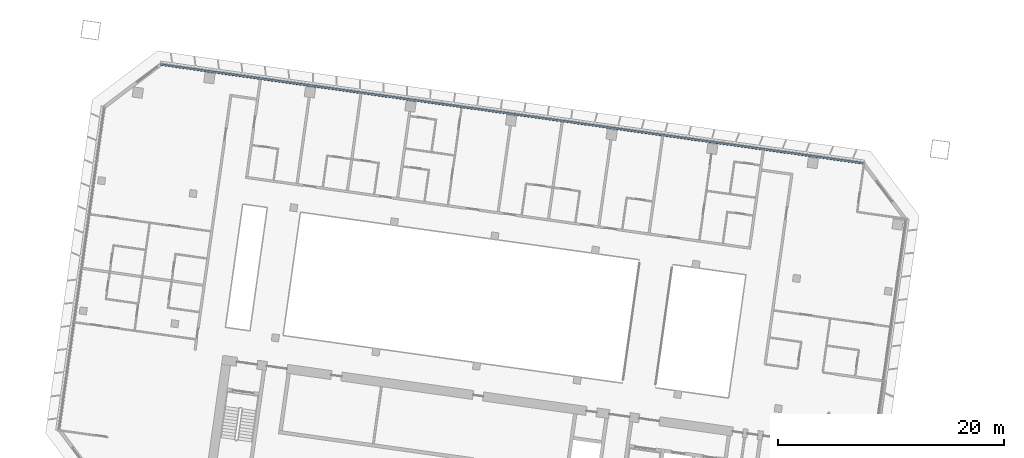
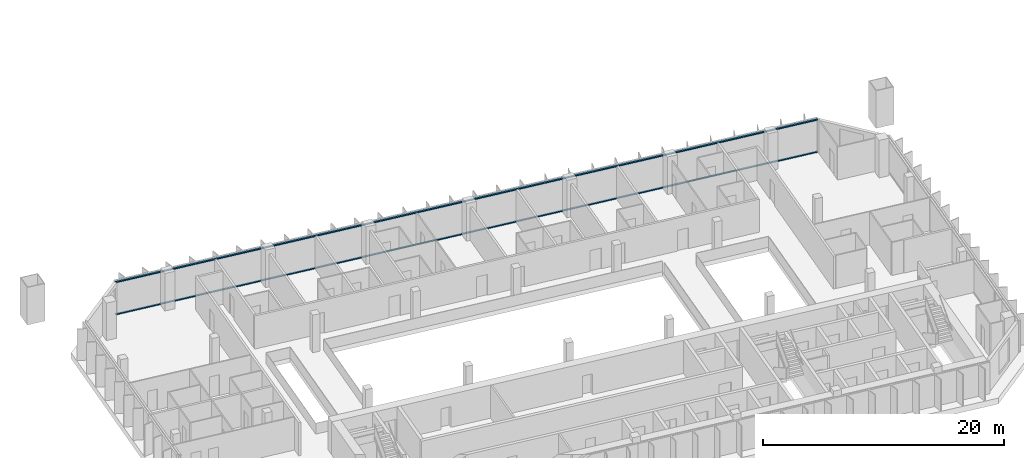
# One storey, part 4 of 26: 2 members, 1 element without a shape of its own.
"""IFC4 building model written with IfcOpenShell, lengths in metres."""

from ifc_helpers import new_model, si_unit, direction, frame, origin, origin_2d, place, context, subcontext, project, spatial, rectangle, extrude, material, material_profile, profile_set, type_object, element, aggregate, save


model = new_model("IFC4")

# Units and contexts
model_context = context("Model", 3, precision=1e-05, world=origin(), true_north=direction((0.0, 1.0)))
body_context = subcontext(model_context, "Body", "Model", "MODEL_VIEW")
ifc_project = project(units=[si_unit("LENGTHUNIT", "METRE"), si_unit("AREAUNIT", "SQUARE_METRE"), si_unit("VOLUMEUNIT", "CUBIC_METRE"), si_unit("PLANEANGLEUNIT", "RADIAN"), si_unit("MASSUNIT", "GRAM", prefix="KILO")], contexts=[model_context])

# Site, building, storey
site_placement = place(None, origin())
site = spatial("IfcSite", under=ifc_project, at=site_placement, CompositionType="ELEMENT")
building_placement = place(site_placement, origin())
building = spatial("IfcBuilding", under=site, at=building_placement, Name="Mirante Cascada Hotel Towers", CompositionType="ELEMENT")
storey_placement = place(building_placement, frame((0.0, 0.0, 106.3)))
storey = spatial("IfcBuildingStorey", under=building, at=storey_placement, Name="L23", CompositionType="ELEMENT", Elevation=106.3)

# Curtain wall, members
ifc_material_1 = material(Name="Aluminium mullion and transom frame with clear laminated glass", Category="aluminium")
curtain_wall_type = type_object("IfcCurtainWallType", Name="Ribbon curtain wall ECW1", PredefinedType="NOTDEFINED", material=ifc_material_1)
curtain_wall_placement = place(storey_placement, origin())
curtain_wall = element("IfcCurtainWall", 1, at=curtain_wall_placement, inside=storey, type_object=curtain_wall_type, Name="Front ribbon wall T1 L23", PredefinedType="NOTDEFINED")
ifc_material_2 = material(Name="Anodised aluminium extrusion", Category="aluminium")
ifc_material_profile = material_profile(ifc_material_2, rectangle(XDim=0.16, YDim=0.1, at=origin_2d()), Name="ECW1 TRANSOM 100x160")
ifc_profile_set = profile_set([ifc_material_profile], Name="Anodised aluminium extrusion")
member_type = type_object("IfcMemberType", Name="ECW1 transom 100x160", PredefinedType="USERDEFINED", material=ifc_profile_set)
member_1_placement = place(storey_placement, frame((-94.1582, 26.0521, 0.05), z_axis=(0.9902681, -0.1391728, 0.0), x_axis=(0.1391728, 0.9902681, 0.0)))
member_1 = element("IfcMember", 2, at=member_1_placement, type_object=member_type, Name="ECW1 sill transom", ObjectType="TRANSOM", PredefinedType="USERDEFINED", context=body_context, shape_type="SweptSolid", body=[
    extrude(rectangle(XDim=0.16, YDim=0.1, at=origin_2d()), origin(), (0.0, 0.0, 1.0), 62.8758),
])
member_2_placement = place(storey_placement, frame((-94.1582, 26.0521, 3.3), z_axis=(0.9902681, -0.1391728, 0.0), x_axis=(0.1391728, 0.9902681, 0.0)))
member_2 = element("IfcMember", 3, at=member_2_placement, type_object=member_type, Name="ECW1 head transom", ObjectType="TRANSOM", PredefinedType="USERDEFINED", context=body_context, shape_type="SweptSolid", body=[
    extrude(rectangle(XDim=0.16, YDim=0.1, at=origin_2d()), origin(), (0.0, 0.0, 1.0), 62.8758),
])
aggregate(curtain_wall, [member_1, member_2])

save(model, "model.ifc")
